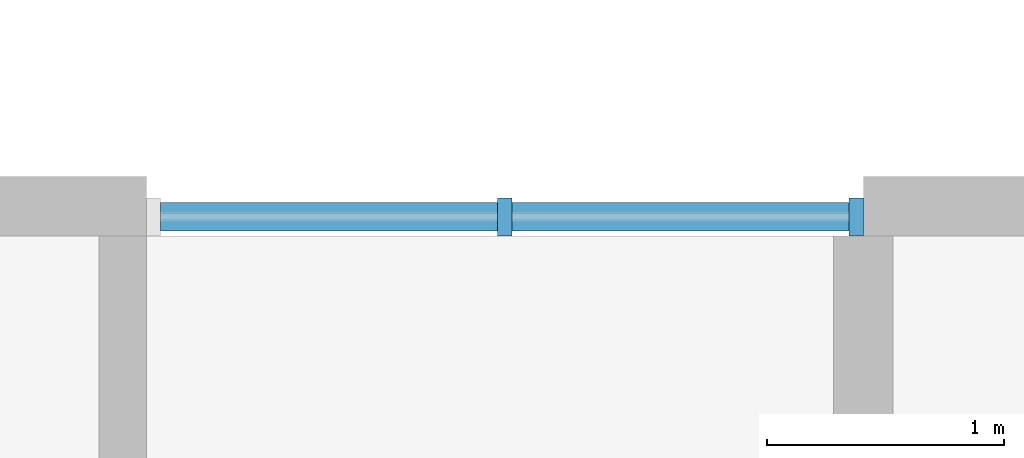
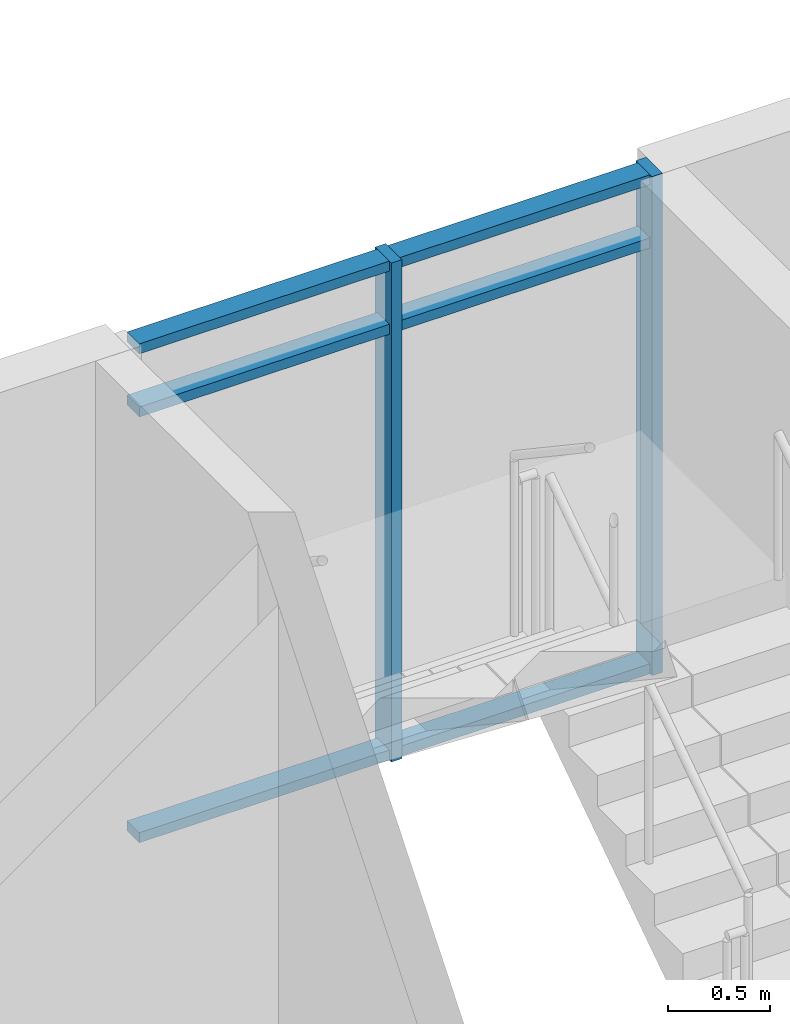
# One storey, part 23 of 87: 8 members, 1 element without a shape of its own.
"""IFC4 building model written with IfcOpenShell, lengths in metres."""

from ifc_helpers import new_model, si_unit, direction, frame, origin, origin_2d, place, context, subcontext, project, spatial, rectangle, extrude, material, material_profile, profile_set, type_object, element, aggregate, save


model = new_model("IFC4")

# Units and contexts
model_context = context("Model", 3, precision=1e-05, world=origin(), true_north=direction((0.0, 1.0)))
body_context = subcontext(model_context, "Body", "Model", "MODEL_VIEW")
ifc_project = project(units=[si_unit("LENGTHUNIT", "METRE"), si_unit("AREAUNIT", "SQUARE_METRE"), si_unit("VOLUMEUNIT", "CUBIC_METRE"), si_unit("PLANEANGLEUNIT", "RADIAN"), si_unit("MASSUNIT", "GRAM", prefix="KILO")], contexts=[model_context])

# Site, building, storey
site_placement = place(None, origin())
site = spatial("IfcSite", under=ifc_project, at=site_placement, CompositionType="ELEMENT")
building_placement = place(site_placement, origin())
building = spatial("IfcBuilding", under=site, at=building_placement, Name="Ridgestep Commons", CompositionType="ELEMENT")
storey_placement = place(building_placement, frame((0.0, 0.0, 27.0)))
storey = spatial("IfcBuildingStorey", under=building, at=storey_placement, Name="L09", CompositionType="ELEMENT", Elevation=27.0)

# Curtain wall, members
ifc_material_1 = material(Name="Aluminium 6063-T6 and glass", Category="aluminium")
curtain_wall_type = type_object("IfcCurtainWallType", Name="Curtain wall stair strip", PredefinedType="NOTDEFINED", material=ifc_material_1)
curtain_wall_placement = place(storey_placement, origin())
curtain_wall = element("IfcCurtainWall", 1, at=curtain_wall_placement, inside=storey, type_object=curtain_wall_type, Name="Curtain wall C3C level 09", PredefinedType="NOTDEFINED")
ifc_material_2 = material(Name="Aluminium 6063-T6", Category="aluminium")
ifc_material_profile_1 = material_profile(ifc_material_2, rectangle(XDim=0.159912109375, YDim=0.06005859375, at=origin_2d()), Name="Mullion 60 x 160")
ifc_profile_set_1 = profile_set([ifc_material_profile_1], Name="Aluminium 6063-T6")
member_type_1 = type_object("IfcMemberType", Name="Mullion 60 x 160", PredefinedType="MULLION", material=ifc_profile_set_1)
member_1_placement = place(storey_placement, frame((184.887451171875, 77.080078125, 0.0), z_axis=(0.0, 0.0, 1.0), x_axis=(0.0, 1.0, 0.0)))
member_1 = element("IfcMember", 2, at=member_1_placement, type_object=member_type_1, Name="CW1 mullion 2", PredefinedType="MULLION", context=body_context, shape_type="SweptSolid", body=[
    extrude(rectangle(XDim=0.159912109375, YDim=0.06005859375, at=origin_2d()), origin(), (0.0, 0.0, 1.0), 3.0),
])
member_2_placement = place(storey_placement, frame((186.3701171875, 77.080078125, 0.0), z_axis=(0.0, 0.0, 1.0), x_axis=(0.0, 1.0, 0.0)))
member_2 = element("IfcMember", 3, at=member_2_placement, type_object=member_type_1, Name="CW1 mullion 3", PredefinedType="MULLION", context=body_context, shape_type="SweptSolid", body=[
    extrude(rectangle(XDim=0.159912109375, YDim=0.06005859375, at=origin_2d()), origin(), (0.0, 0.0, 1.0), 3.0),
])
ifc_material_3 = material(Name="Aluminium 6063-T6", Category="aluminium")
ifc_material_profile_2 = material_profile(ifc_material_3, rectangle(XDim=0.1201171875, YDim=0.06005859375, at=origin_2d()), Name="Transom 60 x 120")
ifc_profile_set_2 = profile_set([ifc_material_profile_2], Name="Aluminium 6063-T6")
member_type_2 = type_object("IfcMemberType", Name="Transom 60 x 120", PredefinedType="USERDEFINED", material=ifc_profile_set_2)
member_3_placement = place(storey_placement, frame((183.43505859375, 77.080078125, 0.030029296875), z_axis=(1.0, 0.0, 0.0), x_axis=(0.0, 1.0, 0.0)))
member_3 = element("IfcMember", 4, at=member_3_placement, type_object=member_type_2, Name="CW1 transom 1.1", ObjectType="TRANSOM", PredefinedType="USERDEFINED", context=body_context, shape_type="SweptSolid", body=[
    extrude(rectangle(XDim=0.1201171875, YDim=0.06005859375, at=origin_2d()), origin(), (0.0, 0.0, 1.0), 1.42236328125),
])
member_4_placement = place(storey_placement, frame((183.43505859375, 77.080078125, 2.590087890625), z_axis=(1.0, 0.0, 0.0), x_axis=(0.0, 1.0, 0.0)))
member_4 = element("IfcMember", 5, at=member_4_placement, type_object=member_type_2, Name="CW1 transom 1.2", ObjectType="TRANSOM", PredefinedType="USERDEFINED", context=body_context, shape_type="SweptSolid", body=[
    extrude(rectangle(XDim=0.1201171875, YDim=0.06005859375, at=origin_2d()), origin(), (0.0, 0.0, 1.0), 1.42236328125),
])
member_5_placement = place(storey_placement, frame((183.43505859375, 77.080078125, 2.969970703125), z_axis=(1.0, 0.0, 0.0), x_axis=(0.0, 1.0, 0.0)))
member_5 = element("IfcMember", 6, at=member_5_placement, type_object=member_type_2, Name="CW1 transom 1.3", ObjectType="TRANSOM", PredefinedType="USERDEFINED", context=body_context, shape_type="SweptSolid", body=[
    extrude(rectangle(XDim=0.1201171875, YDim=0.06005859375, at=origin_2d()), origin(), (0.0, 0.0, 1.0), 1.42236328125),
])
member_6_placement = place(storey_placement, frame((184.91748046875, 77.080078125, 0.030029296875), z_axis=(1.0, 0.0, 0.0), x_axis=(0.0, 1.0, 0.0)))
member_6 = element("IfcMember", 7, at=member_6_placement, type_object=member_type_2, Name="CW1 transom 2.1", ObjectType="TRANSOM", PredefinedType="USERDEFINED", context=body_context, shape_type="SweptSolid", body=[
    extrude(rectangle(XDim=0.1201171875, YDim=0.06005859375, at=origin_2d()), origin(), (0.0, 0.0, 1.0), 1.422607421875),
])
member_7_placement = place(storey_placement, frame((184.91748046875, 77.080078125, 2.590087890625), z_axis=(1.0, 0.0, 0.0), x_axis=(0.0, 1.0, 0.0)))
member_7 = element("IfcMember", 8, at=member_7_placement, type_object=member_type_2, Name="CW1 transom 2.2", ObjectType="TRANSOM", PredefinedType="USERDEFINED", context=body_context, shape_type="SweptSolid", body=[
    extrude(rectangle(XDim=0.1201171875, YDim=0.06005859375, at=origin_2d()), origin(), (0.0, 0.0, 1.0), 1.422607421875),
])
member_8_placement = place(storey_placement, frame((184.91748046875, 77.080078125, 2.969970703125), z_axis=(1.0, 0.0, 0.0), x_axis=(0.0, 1.0, 0.0)))
member_8 = element("IfcMember", 9, at=member_8_placement, type_object=member_type_2, Name="CW1 transom 2.3", ObjectType="TRANSOM", PredefinedType="USERDEFINED", context=body_context, shape_type="SweptSolid", body=[
    extrude(rectangle(XDim=0.1201171875, YDim=0.06005859375, at=origin_2d()), origin(), (0.0, 0.0, 1.0), 1.422607421875),
])
aggregate(curtain_wall, [member_1, member_2, member_3, member_4, member_5, member_6, member_7, member_8])

save(model, "model.ifc")
